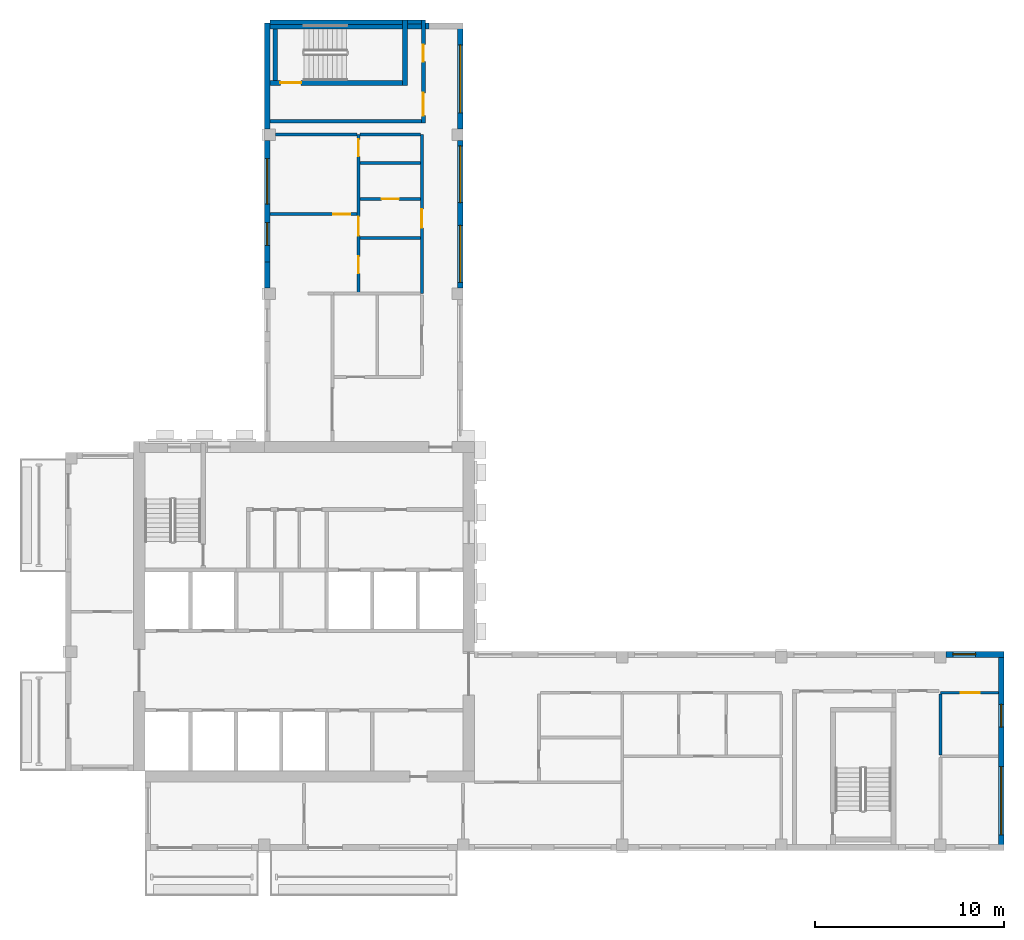
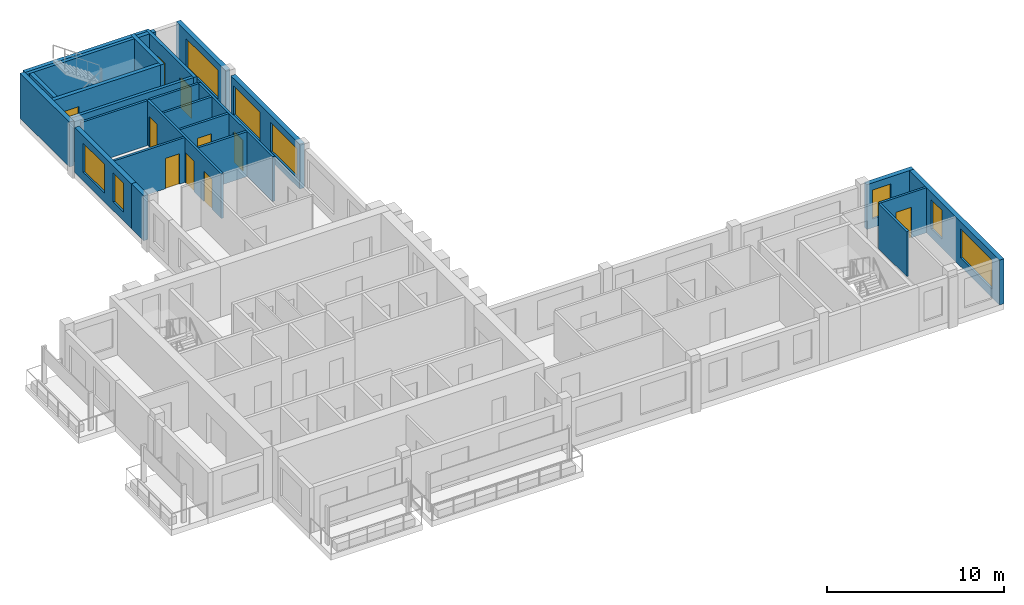
# One storey, part 5 of 10: 25 walls, 10 doors, 8 windows, 18 openings.
"""IFC4 building model written with IfcOpenShell, lengths in metres."""

from ifc_helpers import new_model, si_unit, direction, frame, frame_2d, origin, place, context, subcontext, project, spatial, rectangle, extrude, source, transform, mapped, material, layer, layer_set, type_object, element, fill, save


model = new_model("IFC4")

# Units and contexts
model_context = context("Model", 3, precision=1e-05, world=origin(), true_north=direction((0.0, 1.0)))
body_context = subcontext(model_context, "Body", "Model", "MODEL_VIEW")
ifc_project = project(units=[si_unit("LENGTHUNIT", "METRE"), si_unit("AREAUNIT", "SQUARE_METRE"), si_unit("VOLUMEUNIT", "CUBIC_METRE"), si_unit("PLANEANGLEUNIT", "RADIAN"), si_unit("MASSUNIT", "GRAM", prefix="KILO")], contexts=[model_context])

# Site, building, storey
site_placement = place(None, origin())
site = spatial("IfcSite", under=ifc_project, at=site_placement, CompositionType="ELEMENT")
building_placement = place(site_placement, origin())
building = spatial("IfcBuilding", under=site, at=building_placement, Name="Aurelian Terraces", CompositionType="ELEMENT")
storey_placement = place(building_placement, frame((0.0, 0.0, 361.5)))
storey = spatial("IfcBuildingStorey", under=building, at=storey_placement, Name="L86", CompositionType="ELEMENT", Elevation=361.5)

# Wall, openings, windows
ifc_material_1 = material(Name="Terracotta rainscreen cladding", Category="masonry")
ifc_layer_1 = layer(ifc_material_1, 0.3)
ifc_layer_set_1 = layer_set([ifc_layer_1], Name="EW-300")
wall_type_1 = type_object("IfcWallType", Name="EW-300", PredefinedType="STANDARD", material=ifc_layer_set_1)
shared_shape_1 = source(origin(), body_context, "Body", "SweptSolid", [
    extrude(rectangle(XDim=10.5, YDim=0.3, at=frame_2d((5.25, 0.0))), origin(), (0.0, 0.0, 1.0), 3.1),
])
wall_1_placement = place(storey_placement, frame((49.41, 0.0, 0.0), z_axis=(0.0, 0.0, 1.0), x_axis=(0.0, 1.0, 0.0)))
wall_1 = element("IfcWall", 1, at=wall_1_placement, inside=storey, type_object=wall_type_1, Name="External wall L86 F02.7", PredefinedType="STANDARD", context=body_context, shape_type="MappedRepresentation", body=[
    mapped(shared_shape_1, transform((0.0, 0.0, 0.0), scale=1.0)),
])
shared_shape_2 = source(origin(), body_context, "Body", "SweptSolid", [
    extrude(rectangle(XDim=3.6, YDim=2.0, at=frame_2d((1.8, 1.0))), frame((0.0, 0.16, 0.0), z_axis=(0.0, -1.0, 0.0), x_axis=(1.0, 0.0, 0.0)), (0.0, 0.0, 1.0), 0.32),
])
opening_1_placement = place(wall_1_placement, frame((0.825, 0.0, 0.6)))
opening_1 = element("IfcOpeningElement", 2, at=opening_1_placement, cuts=wall_1, Name="Opening W3620", PredefinedType="OPENING", context=body_context, shape_type="MappedRepresentation", body=[
    mapped(shared_shape_2, transform((0.0, 0.0, 0.0), scale=1.0)),
])
shared_shape_3 = source(origin(), body_context, "Body", "SweptSolid", [
    extrude(rectangle(XDim=1.2, YDim=2.0, at=frame_2d((0.6, 1.0))), frame((0.0, 0.16, 0.0), z_axis=(0.0, -1.0, 0.0), x_axis=(1.0, 0.0, 0.0)), (0.0, 0.0, 1.0), 0.32),
])
opening_2_placement = place(wall_1_placement, frame((6.5125, 0.0, 0.6)))
opening_2 = element("IfcOpeningElement", 3, at=opening_2_placement, cuts=wall_1, Name="Opening W1220", PredefinedType="OPENING", context=body_context, shape_type="MappedRepresentation", body=[
    mapped(shared_shape_3, transform((0.0, 0.0, 0.0), scale=1.0)),
])
ifc_material_2 = material(Name="Clear glazing", Category="glass")
window_type_1 = type_object("IfcWindowType", Name="W-1200x2000", PartitioningType="SINGLE_PANEL", PredefinedType="WINDOW", material=ifc_material_2)
shared_shape_4 = source(origin(), body_context, "Body", "SweptSolid", [
    extrude(rectangle(XDim=1.2, YDim=2.0, at=frame_2d((0.6, 1.0))), frame((0.0, 0.03, 0.0), z_axis=(0.0, -1.0, 0.0), x_axis=(1.0, 0.0, 0.0)), (0.0, 0.0, 1.0), 0.06),
])
window_1_placement = place(opening_2_placement, origin())
window_1 = element("IfcWindow", 4, at=window_1_placement, inside=storey, type_object=window_type_1, Name="Window L86 L86-F02-07-1", OverallHeight=2.0, OverallWidth=1.2, PartitioningType="SINGLE_PANEL", PredefinedType="WINDOW", context=body_context, shape_type="MappedRepresentation", body=[
    mapped(shared_shape_4, transform((0.0, 0.0, 0.0), scale=1.0)),
])
fill(opening_2, window_1)
window_type_2 = type_object("IfcWindowType", Name="W-3600x2000", PartitioningType="SINGLE_PANEL", PredefinedType="WINDOW", material=ifc_material_2)
shared_shape_5 = source(origin(), body_context, "Body", "SweptSolid", [
    extrude(rectangle(XDim=3.6, YDim=2.0, at=frame_2d((1.8, 1.0))), frame((0.0, 0.03, 0.0), z_axis=(0.0, -1.0, 0.0), x_axis=(1.0, 0.0, 0.0)), (0.0, 0.0, 1.0), 0.06),
])
window_2_placement = place(opening_1_placement, origin())
window_2 = element("IfcWindow", 5, at=window_2_placement, inside=storey, type_object=window_type_2, Name="Window L86 L86-F02-07-0", OverallHeight=2.0, OverallWidth=3.6, PartitioningType="SINGLE_PANEL", PredefinedType="WINDOW", context=body_context, shape_type="MappedRepresentation", body=[
    mapped(shared_shape_5, transform((0.0, 0.0, 0.0), scale=1.0)),
])
fill(opening_1, window_2)

# Wall
ifc_material_3 = material(Name="Concrete fc' 40 MPa", Category="concrete")
ifc_layer_2 = layer(ifc_material_3, 0.3)
ifc_layer_set_2 = layer_set([ifc_layer_2], Name="STAIR BAY WALL 300")
wall_type_2 = type_object("IfcWallType", Name="STAIR BAY WALL 300", PredefinedType="SOLIDWALL", material=ifc_layer_set_2)
shared_shape_6 = source(origin(), body_context, "Body", "SweptSolid", [
    extrude(rectangle(XDim=8.6, YDim=0.3, at=frame_2d((4.3, 0.0))), origin(), (0.0, 0.0, 1.0), 3.1),
])
wall_2_placement = place(storey_placement, frame((19.2, 43.53, 0.0), z_axis=(0.0, 0.0, 1.0), x_axis=(-1.0, 0.0, 0.0)))
element("IfcWall", 6, at=wall_2_placement, inside=storey, type_object=wall_type_2, Name="Stair bay wall L86 F05.13", PredefinedType="SOLIDWALL", context=body_context, shape_type="MappedRepresentation", body=[
    mapped(shared_shape_6, transform((0.0, 0.0, 0.0), scale=1.0)),
])

# Wall, opening, window
shared_shape_7 = source(origin(), body_context, "Body", "SweptSolid", [
    extrude(rectangle(XDim=3.06, YDim=0.3, at=frame_2d((1.53, 0.0))), origin(), (0.0, 0.0, 1.0), 3.1),
])
wall_3_placement = place(storey_placement, frame((49.56, 10.35, 0.0), z_axis=(0.0, 0.0, 1.0), x_axis=(-1.0, 0.0, 0.0)))
wall_3 = element("IfcWall", 7, at=wall_3_placement, inside=storey, type_object=wall_type_1, Name="External wall L86 F03.8", PredefinedType="STANDARD", context=body_context, shape_type="MappedRepresentation", body=[
    mapped(shared_shape_7, transform((0.0, 0.0, 0.0), scale=1.0)),
])
opening_3_placement = place(wall_3_placement, frame((1.5, 0.0, 0.6)))
opening_3 = element("IfcOpeningElement", 8, at=opening_3_placement, cuts=wall_3, Name="Opening W1220", PredefinedType="OPENING", context=body_context, shape_type="MappedRepresentation", body=[
    mapped(shared_shape_3, transform((0.0, 0.0, 0.0), scale=1.0)),
])
window_3_placement = place(opening_3_placement, origin())
window_3 = element("IfcWindow", 9, at=window_3_placement, inside=storey, type_object=window_type_1, Name="Window L86 L86-F03-08-0", OverallHeight=2.0, OverallWidth=1.2, PartitioningType="SINGLE_PANEL", PredefinedType="WINDOW", context=body_context, shape_type="MappedRepresentation", body=[
    mapped(shared_shape_4, transform((0.0, 0.0, 0.0), scale=1.0)),
])
fill(opening_3, window_3)

# Wall, openings, windows
shared_shape_8 = source(origin(), body_context, "Body", "SweptSolid", [
    extrude(rectangle(XDim=7.8, YDim=0.3, at=frame_2d((3.9, 0.0))), origin(), (0.0, 0.0, 1.0), 3.1),
])
wall_4_placement = place(storey_placement, frame((20.85, 29.7, 0.0), z_axis=(0.0, 0.0, 1.0), x_axis=(0.0, 1.0, 0.0)))
wall_4 = element("IfcWall", 10, at=wall_4_placement, inside=storey, type_object=wall_type_1, Name="External wall L86 F04.11", PredefinedType="STANDARD", context=body_context, shape_type="MappedRepresentation", body=[
    mapped(shared_shape_8, transform((0.0, 0.0, 0.0), scale=1.0)),
])
shared_shape_9 = source(origin(), body_context, "Body", "SweptSolid", [
    extrude(rectangle(XDim=3.0, YDim=2.0, at=frame_2d((1.5, 1.0))), frame((0.0, 0.16, 0.0), z_axis=(0.0, -1.0, 0.0), x_axis=(1.0, 0.0, 0.0)), (0.0, 0.0, 1.0), 0.32),
])
opening_4_placement = place(wall_4_placement, frame((0.3, 0.0, 0.6)))
opening_4 = element("IfcOpeningElement", 11, at=opening_4_placement, cuts=wall_4, Name="Opening W3020", PredefinedType="OPENING", context=body_context, shape_type="MappedRepresentation", body=[
    mapped(shared_shape_9, transform((0.0, 0.0, 0.0), scale=1.0)),
])
opening_5_placement = place(wall_4_placement, frame((4.5, 0.0, 0.6)))
opening_5 = element("IfcOpeningElement", 12, at=opening_5_placement, cuts=wall_4, Name="Opening W3020", PredefinedType="OPENING", context=body_context, shape_type="MappedRepresentation", body=[
    mapped(shared_shape_9, transform((0.0, 0.0, 0.0), scale=1.0)),
])
window_type_3 = type_object("IfcWindowType", Name="W-3000x2000", PartitioningType="SINGLE_PANEL", PredefinedType="WINDOW", material=ifc_material_2)
shared_shape_10 = source(origin(), body_context, "Body", "SweptSolid", [
    extrude(rectangle(XDim=3.0, YDim=2.0, at=frame_2d((1.5, 1.0))), frame((0.0, 0.03, 0.0), z_axis=(0.0, -1.0, 0.0), x_axis=(1.0, 0.0, 0.0)), (0.0, 0.0, 1.0), 0.06),
])
window_4_placement = place(opening_4_placement, origin())
window_4 = element("IfcWindow", 13, at=window_4_placement, inside=storey, type_object=window_type_3, Name="Window L86 L86-F04-11-0", OverallHeight=2.0, OverallWidth=3.0, PartitioningType="SINGLE_PANEL", PredefinedType="WINDOW", context=body_context, shape_type="MappedRepresentation", body=[
    mapped(shared_shape_10, transform((0.0, 0.0, 0.0), scale=1.0)),
])
fill(opening_4, window_4)
window_5_placement = place(opening_5_placement, origin())
window_5 = element("IfcWindow", 14, at=window_5_placement, inside=storey, type_object=window_type_3, Name="Window L86 L86-F04-11-1", OverallHeight=2.0, OverallWidth=3.0, PartitioningType="SINGLE_PANEL", PredefinedType="WINDOW", context=body_context, shape_type="MappedRepresentation", body=[
    mapped(shared_shape_10, transform((0.0, 0.0, 0.0), scale=1.0)),
])
fill(opening_5, window_5)

# Wall, opening, window
shared_shape_11 = source(origin(), body_context, "Body", "SweptSolid", [
    extrude(rectangle(XDim=5.58, YDim=0.3, at=frame_2d((2.79, 0.0))), origin(), (0.0, 0.0, 1.0), 3.1),
])
wall_5_placement = place(storey_placement, frame((20.85, 38.1, 0.0), z_axis=(0.0, 0.0, 1.0), x_axis=(0.0, 1.0, 0.0)))
wall_5 = element("IfcWall", 15, at=wall_5_placement, inside=storey, type_object=wall_type_1, Name="External wall L86 F04.12", PredefinedType="STANDARD", context=body_context, shape_type="MappedRepresentation", body=[
    mapped(shared_shape_11, transform((0.0, 0.0, 0.0), scale=1.0)),
])
opening_6_placement = place(wall_5_placement, frame((0.84, 0.0, 0.6)))
opening_6 = element("IfcOpeningElement", 16, at=opening_6_placement, cuts=wall_5, Name="Opening W3620", PredefinedType="OPENING", context=body_context, shape_type="MappedRepresentation", body=[
    mapped(shared_shape_2, transform((0.0, 0.0, 0.0), scale=1.0)),
])
window_6_placement = place(opening_6_placement, origin())
window_6 = element("IfcWindow", 17, at=window_6_placement, inside=storey, type_object=window_type_2, Name="Window L86 L86-F04-12-0", OverallHeight=2.0, OverallWidth=3.6, PartitioningType="SINGLE_PANEL", PredefinedType="WINDOW", context=body_context, shape_type="MappedRepresentation", body=[
    mapped(shared_shape_5, transform((0.0, 0.0, 0.0), scale=1.0)),
])
fill(opening_6, window_6)

# Wall
shared_shape_12 = source(origin(), body_context, "Body", "SweptSolid", [
    extrude(rectangle(XDim=5.58, YDim=0.3, at=frame_2d((2.79, 0.0))), origin(), (0.0, 0.0, 1.0), 3.1),
])
wall_6_placement = place(storey_placement, frame((10.65, 43.68, 0.0), z_axis=(0.0, 0.0, 1.0), x_axis=(0.0, -1.0, 0.0)))
element("IfcWall", 18, at=wall_6_placement, inside=storey, type_object=wall_type_2, Name="Stair bay wall L86 F06.14", PredefinedType="SOLIDWALL", context=body_context, shape_type="MappedRepresentation", body=[
    mapped(shared_shape_12, transform((0.0, 0.0, 0.0), scale=1.0)),
])

# Wall, openings, windows
shared_shape_13 = source(origin(), body_context, "Body", "SweptSolid", [
    extrude(rectangle(XDim=6.42, YDim=0.3, at=frame_2d((3.21, 0.0))), origin(), (0.0, 0.0, 1.0), 3.1),
])
wall_7_placement = place(storey_placement, frame((10.65, 37.5, 0.0), z_axis=(0.0, 0.0, 1.0), x_axis=(0.0, -1.0, 0.0)))
wall_7 = element("IfcWall", 19, at=wall_7_placement, inside=storey, type_object=wall_type_1, Name="External wall L86 F06.14", PredefinedType="STANDARD", context=body_context, shape_type="MappedRepresentation", body=[
    mapped(shared_shape_13, transform((0.0, 0.0, 0.0), scale=1.0)),
])
opening_7_placement = place(wall_7_placement, frame((4.3475, 0.0, 0.6)))
opening_7 = element("IfcOpeningElement", 20, at=opening_7_placement, cuts=wall_7, Name="Opening W1220", PredefinedType="OPENING", context=body_context, shape_type="MappedRepresentation", body=[
    mapped(shared_shape_3, transform((0.0, 0.0, 0.0), scale=1.0)),
])
shared_shape_14 = source(origin(), body_context, "Body", "SweptSolid", [
    extrude(rectangle(XDim=2.4, YDim=2.0, at=frame_2d((1.2, 1.0))), frame((0.0, 0.16, 0.0), z_axis=(0.0, -1.0, 0.0), x_axis=(1.0, 0.0, 0.0)), (0.0, 0.0, 1.0), 0.32),
])
opening_8_placement = place(wall_7_placement, frame((0.9737, 0.0, 0.6)))
opening_8 = element("IfcOpeningElement", 21, at=opening_8_placement, cuts=wall_7, Name="Opening W2420", PredefinedType="OPENING", context=body_context, shape_type="MappedRepresentation", body=[
    mapped(shared_shape_14, transform((0.0, 0.0, 0.0), scale=1.0)),
])
window_7_placement = place(opening_7_placement, origin())
window_7 = element("IfcWindow", 22, at=window_7_placement, inside=storey, type_object=window_type_1, Name="Window L86 L86-F06-14-2", OverallHeight=2.0, OverallWidth=1.2, PartitioningType="SINGLE_PANEL", PredefinedType="WINDOW", context=body_context, shape_type="MappedRepresentation", body=[
    mapped(shared_shape_4, transform((0.0, 0.0, 0.0), scale=1.0)),
])
fill(opening_7, window_7)
window_type_4 = type_object("IfcWindowType", Name="W-2400x2000", PartitioningType="SINGLE_PANEL", PredefinedType="WINDOW", material=ifc_material_2)
shared_shape_15 = source(origin(), body_context, "Body", "SweptSolid", [
    extrude(rectangle(XDim=2.4, YDim=2.0, at=frame_2d((1.2, 1.0))), frame((0.0, 0.03, 0.0), z_axis=(0.0, -1.0, 0.0), x_axis=(1.0, 0.0, 0.0)), (0.0, 0.0, 1.0), 0.06),
])
window_8_placement = place(opening_8_placement, origin())
window_8 = element("IfcWindow", 23, at=window_8_placement, inside=storey, type_object=window_type_4, Name="Window L86 L86-F06-14-G1-62", OverallHeight=2.0, OverallWidth=2.4, PartitioningType="SINGLE_PANEL", PredefinedType="WINDOW", context=body_context, shape_type="MappedRepresentation", body=[
    mapped(shared_shape_15, transform((0.0, 0.0, 0.0), scale=1.0)),
])
fill(opening_8, window_8)

# Wall
shared_shape_16 = source(origin(), body_context, "Body", "SweptSolid", [
    extrude(rectangle(XDim=1.38, YDim=0.3, at=frame_2d((0.69, 0.0))), origin(), (0.0, 0.0, 1.0), 3.1),
])
wall_8_placement = place(storey_placement, frame((10.65, 31.08, 0.0), z_axis=(0.0, 0.0, 1.0), x_axis=(0.0, -1.0, 0.0)))
element("IfcWall", 24, at=wall_8_placement, inside=storey, type_object=wall_type_1, Name="External wall L86 F06.15", PredefinedType="STANDARD", context=body_context, shape_type="MappedRepresentation", body=[
    mapped(shared_shape_16, transform((0.0, 0.0, 0.0), scale=1.0)),
])

# Wall, opening, door
ifc_layer_3 = layer(ifc_material_3, 0.25)
ifc_layer_set_3 = layer_set([ifc_layer_3], Name="Stair enclosure wall 250")
wall_type_3 = type_object("IfcWallType", Name="Stair enclosure wall 250", PredefinedType="SOLIDWALL", material=ifc_layer_set_3)
shared_shape_17 = source(origin(), body_context, "Body", "SweptSolid", [
    extrude(rectangle(XDim=7.0, YDim=0.25, at=frame_2d((3.5, 0.0))), origin(), (0.0, 0.0, 1.0), 3.1),
])
wall_9_placement = place(storey_placement, frame((10.8, 40.525, 0.0), z_axis=(0.0, 0.0, 1.0), x_axis=(1.0, 0.0, 0.0)))
wall_9 = element("IfcWall", 25, at=wall_9_placement, inside=storey, type_object=wall_type_3, Name="L86 core wall ST-S3U-W", PredefinedType="SOLIDWALL", context=body_context, shape_type="MappedRepresentation", body=[
    mapped(shared_shape_17, transform((0.0, 0.0, 0.0), scale=1.0)),
])
shared_shape_18 = source(origin(), body_context, "Body", "SweptSolid", [
    extrude(rectangle(XDim=1.1, YDim=2.1, at=frame_2d((0.55, 1.05))), frame((0.0, 0.135, 0.0), z_axis=(0.0, -1.0, 0.0), x_axis=(1.0, 0.0, 0.0)), (0.0, 0.0, 1.0), 0.27),
])
opening_9_placement = place(wall_9_placement, frame((0.55, 0.0, 0.0)))
opening_9 = element("IfcOpeningElement", 26, at=opening_9_placement, cuts=wall_9, Name="Opening 68921", PredefinedType="OPENING", context=body_context, shape_type="MappedRepresentation", body=[
    mapped(shared_shape_18, transform((0.0, 0.0, 0.0), scale=1.0)),
])
ifc_material_4 = material(Name="Steel door leaf", Category="steel")
door_type_1 = type_object("IfcDoorType", Name="Core fire door 1100x2100", OperationType="SINGLE_SWING_LEFT", PredefinedType="DOOR", material=ifc_material_4)
shared_shape_19 = source(origin(), body_context, "Body", "SweptSolid", [
    extrude(rectangle(XDim=1.1, YDim=2.1, at=frame_2d((0.55, 1.05))), frame((0.0, 0.025, 0.0), z_axis=(0.0, -1.0, 0.0), x_axis=(1.0, 0.0, 0.0)), (0.0, 0.0, 1.0), 0.05),
])
door_1_placement = place(opening_9_placement, origin())
door_1 = element("IfcDoor", 27, at=door_1_placement, inside=storey, type_object=door_type_1, Name="Stair door 68921", OperationType="SINGLE_SWING_LEFT", OverallHeight=2.1, OverallWidth=1.1, PredefinedType="DOOR", context=body_context, shape_type="MappedRepresentation", body=[
    mapped(shared_shape_19, transform((0.0, 0.0, 0.0), scale=1.0)),
])
fill(opening_9, door_1)

# Walls
wall_10_placement = place(storey_placement, frame((10.8, 43.725, 0.0), z_axis=(0.0, 0.0, 1.0), x_axis=(1.0, 0.0, 0.0)))
element("IfcWall", 28, at=wall_10_placement, inside=storey, type_object=wall_type_3, Name="L86 core wall ST-S3U-E", PredefinedType="SOLIDWALL", context=body_context, shape_type="MappedRepresentation", body=[
    mapped(shared_shape_17, transform((0.0, 0.0, 0.0), scale=1.0)),
])
shared_shape_20 = source(origin(), body_context, "Body", "SweptSolid", [
    extrude(rectangle(XDim=3.45, YDim=0.25, at=frame_2d((1.725, 0.0))), origin(), (0.0, 0.0, 1.0), 3.1),
])
wall_11_placement = place(storey_placement, frame((17.925, 40.4, 0.0), z_axis=(0.0, 0.0, 1.0), x_axis=(0.0, 1.0, 0.0)))
element("IfcWall", 29, at=wall_11_placement, inside=storey, type_object=wall_type_3, Name="L86 core wall ST-S3U-N", PredefinedType="SOLIDWALL", context=body_context, shape_type="MappedRepresentation", body=[
    mapped(shared_shape_20, transform((0.0, 0.0, 0.0), scale=1.0)),
])
ifc_material_5 = material(Name="Gypsum board on steel studs", Category="steel")
ifc_layer_4 = layer(ifc_material_5, 0.2)
ifc_layer_set_4 = layer_set([ifc_layer_4], Name="Core partition 200")
wall_type_4 = type_object("IfcWallType", Name="Core partition 200", PredefinedType="PARTITIONING", material=ifc_layer_set_4)
shared_shape_21 = source(origin(), body_context, "Body", "SweptSolid", [
    extrude(rectangle(XDim=8.0, YDim=0.2, at=frame_2d((4.0, 0.0))), origin(), (0.0, 0.0, 1.0), 3.1),
])
wall_12_placement = place(storey_placement, frame((10.8, 38.5, 0.0), z_axis=(0.0, 0.0, 1.0), x_axis=(1.0, 0.0, 0.0)))
element("IfcWall", 30, at=wall_12_placement, inside=storey, type_object=wall_type_4, Name="L86 core wall ST-S3U-VW", PredefinedType="PARTITIONING", context=body_context, shape_type="MappedRepresentation", body=[
    mapped(shared_shape_21, transform((0.0, 0.0, 0.0), scale=1.0)),
])

# Wall, openings, doors
shared_shape_22 = source(origin(), body_context, "Body", "SweptSolid", [
    extrude(rectangle(XDim=5.45, YDim=0.2, at=frame_2d((2.725, 0.0))), origin(), (0.0, 0.0, 1.0), 3.1),
])
wall_13_placement = place(storey_placement, frame((18.9, 38.4, 0.0), z_axis=(0.0, 0.0, 1.0), x_axis=(0.0, 1.0, 0.0)))
wall_13 = element("IfcWall", 31, at=wall_13_placement, inside=storey, type_object=wall_type_4, Name="L86 core wall ST-S3U-BN", PredefinedType="PARTITIONING", context=body_context, shape_type="MappedRepresentation", body=[
    mapped(shared_shape_22, transform((0.0, 0.0, 0.0), scale=1.0)),
])
shared_shape_23 = source(origin(), body_context, "Body", "SweptSolid", [
    extrude(rectangle(XDim=1.2, YDim=2.1, at=frame_2d((0.6, 1.05))), frame((0.0, 0.11, 0.0), z_axis=(0.0, -1.0, 0.0), x_axis=(1.0, 0.0, 0.0)), (0.0, 0.0, 1.0), 0.22),
])
opening_10_placement = place(wall_13_placement, frame((0.4, 0.0, 0.0)))
opening_10 = element("IfcOpeningElement", 32, at=opening_10_placement, cuts=wall_13, Name="Opening 68922", PredefinedType="OPENING", context=body_context, shape_type="MappedRepresentation", body=[
    mapped(shared_shape_23, transform((0.0, 0.0, 0.0), scale=1.0)),
])
shared_shape_24 = source(origin(), body_context, "Body", "SweptSolid", [
    extrude(rectangle(XDim=0.9, YDim=2.1, at=frame_2d((0.45, 1.05))), frame((0.0, 0.11, 0.0), z_axis=(0.0, -1.0, 0.0), x_axis=(1.0, 0.0, 0.0)), (0.0, 0.0, 1.0), 0.22),
])
opening_11_placement = place(wall_13_placement, frame((3.25, 0.0, 0.0)))
opening_11 = element("IfcOpeningElement", 33, at=opening_11_placement, cuts=wall_13, Name="Opening 68923", PredefinedType="OPENING", context=body_context, shape_type="MappedRepresentation", body=[
    mapped(shared_shape_24, transform((0.0, 0.0, 0.0), scale=1.0)),
])
door_type_2 = type_object("IfcDoorType", Name="Core riser door 900x2100", OperationType="SINGLE_SWING_LEFT", PredefinedType="DOOR", material=ifc_material_4)
shared_shape_25 = source(origin(), body_context, "Body", "SweptSolid", [
    extrude(rectangle(XDim=0.9, YDim=2.1, at=frame_2d((0.45, 1.05))), frame((0.0, 0.025, 0.0), z_axis=(0.0, -1.0, 0.0), x_axis=(1.0, 0.0, 0.0)), (0.0, 0.0, 1.0), 0.05),
])
door_2_placement = place(opening_11_placement, origin())
door_2 = element("IfcDoor", 34, at=door_2_placement, inside=storey, type_object=door_type_2, Name="Riser door 68923", OperationType="SINGLE_SWING_LEFT", OverallHeight=2.1, OverallWidth=0.9, PredefinedType="DOOR", context=body_context, shape_type="MappedRepresentation", body=[
    mapped(shared_shape_25, transform((0.0, 0.0, 0.0), scale=1.0)),
])
fill(opening_11, door_2)
door_type_3 = type_object("IfcDoorType", Name="Core fire door 1200x2100 right", OperationType="SINGLE_SWING_RIGHT", PredefinedType="DOOR", material=ifc_material_4)
shared_shape_26 = source(origin(), body_context, "Body", "SweptSolid", [
    extrude(rectangle(XDim=1.2, YDim=2.1, at=frame_2d((0.6, 1.05))), frame((0.0, 0.025, 0.0), z_axis=(0.0, -1.0, 0.0), x_axis=(1.0, 0.0, 0.0)), (0.0, 0.0, 1.0), 0.05),
])
door_3_placement = place(opening_10_placement, origin())
door_3 = element("IfcDoor", 35, at=door_3_placement, inside=storey, type_object=door_type_3, Name="Vestibule door 68922", OperationType="SINGLE_SWING_RIGHT", OverallHeight=2.1, OverallWidth=1.2, PredefinedType="DOOR", context=body_context, shape_type="MappedRepresentation", body=[
    mapped(shared_shape_26, transform((0.0, 0.0, 0.0), scale=1.0)),
])
fill(opening_10, door_3)

# Walls
shared_shape_27 = source(origin(), body_context, "Body", "SweptSolid", [
    extrude(rectangle(XDim=0.75, YDim=0.2, at=frame_2d((0.375, 0.0))), origin(), (0.0, 0.0, 1.0), 3.1),
])
wall_14_placement = place(storey_placement, frame((18.05, 43.75, 0.0), z_axis=(0.0, 0.0, 1.0), x_axis=(1.0, 0.0, 0.0)))
element("IfcWall", 36, at=wall_14_placement, inside=storey, type_object=wall_type_4, Name="L86 core wall ST-S3U-RE", PredefinedType="PARTITIONING", context=body_context, shape_type="MappedRepresentation", body=[
    mapped(shared_shape_27, transform((0.0, 0.0, 0.0), scale=1.0)),
])
shared_shape_28 = source(origin(), body_context, "Body", "SweptSolid", [
    extrude(rectangle(XDim=2.73, YDim=0.25, at=frame_2d((1.365, 0.0))), origin(), (0.0, 0.0, 1.0), 3.1),
])
wall_15_placement = place(storey_placement, frame((11.075, 40.65, 0.0), z_axis=(0.0, 0.0, 1.0), x_axis=(0.0, 1.0, 0.0)))
element("IfcWall", 37, at=wall_15_placement, inside=storey, type_object=wall_type_3, Name="L86 core wall ST-S3U-SS", PredefinedType="SOLIDWALL", context=body_context, shape_type="MappedRepresentation", body=[
    mapped(shared_shape_28, transform((0.0, 0.0, 0.0), scale=1.0)),
])
ifc_layer_5 = layer(ifc_material_5, 0.15)
ifc_layer_set_5 = layer_set([ifc_layer_5], Name="Fire partition 150")
wall_type_5 = type_object("IfcWallType", Name="Fire partition 150", PredefinedType="PARTITIONING", material=ifc_layer_set_5)
shared_shape_29 = source(origin(), body_context, "Body", "SweptSolid", [
    extrude(rectangle(XDim=3.2, YDim=0.15, at=frame_2d((1.6, 0.0))), origin(), (0.0, 0.0, 1.0), 3.1),
])
wall_16_placement = place(storey_placement, frame((46.2, 5.05, 0.0), z_axis=(0.0, 0.0, 1.0), x_axis=(0.0, 1.0, 0.0)))
element("IfcWall", 38, at=wall_16_placement, inside=storey, type_object=wall_type_5, Name="Party wall", PredefinedType="PARTITIONING", context=body_context, shape_type="MappedRepresentation", body=[
    mapped(shared_shape_29, transform((0.0, 0.0, 0.0), scale=1.0)),
])
ifc_layer_6 = layer(ifc_material_5, 0.15)
ifc_layer_set_6 = layer_set([ifc_layer_6], Name="Partition 150")
wall_type_6 = type_object("IfcWallType", Name="Partition 150", PredefinedType="PARTITIONING", material=ifc_layer_set_6)
wall_17_placement = place(storey_placement, frame((18.75, 32.335, 0.0), z_axis=(0.0, 0.0, 1.0), x_axis=(-1.0, 0.0, 0.0)))
element("IfcWall", 39, at=wall_17_placement, inside=storey, type_object=wall_type_6, Name="Partition", PredefinedType="PARTITIONING", context=body_context, shape_type="MappedRepresentation", body=[
    mapped(shared_shape_29, transform((0.0, 0.0, 0.0), scale=1.0)),
])

# Wall, opening, door
wall_18_placement = place(storey_placement, frame((18.75, 34.3983, 0.0), z_axis=(0.0, 0.0, 1.0), x_axis=(-1.0, 0.0, 0.0)))
wall_18 = element("IfcWall", 40, at=wall_18_placement, inside=storey, type_object=wall_type_6, Name="Partition", PredefinedType="PARTITIONING", context=body_context, shape_type="MappedRepresentation", body=[
    mapped(shared_shape_29, transform((0.0, 0.0, 0.0), scale=1.0)),
])
shared_shape_30 = source(origin(), body_context, "Body", "SweptSolid", [
    extrude(rectangle(XDim=0.9, YDim=2.1, at=frame_2d((0.45, 1.05))), frame((0.0, 0.085, 0.0), z_axis=(0.0, -1.0, 0.0), x_axis=(1.0, 0.0, 0.0)), (0.0, 0.0, 1.0), 0.17),
])
opening_12_placement = place(wall_18_placement, frame((1.15, 0.0, 0.0)))
opening_12 = element("IfcOpeningElement", 41, at=opening_12_placement, cuts=wall_18, Name="Opening 786019", PredefinedType="OPENING", context=body_context, shape_type="MappedRepresentation", body=[
    mapped(shared_shape_30, transform((0.0, 0.0, 0.0), scale=1.0)),
])
ifc_material_6 = material(Name="Timber door leaf", Category="wood")
door_type_4 = type_object("IfcDoorType", Name="Room door 900x2100 right", OperationType="SINGLE_SWING_RIGHT", PredefinedType="DOOR", material=ifc_material_6)
door_4_placement = place(opening_12_placement, origin())
door_4 = element("IfcDoor", 42, at=door_4_placement, inside=storey, type_object=door_type_4, Name="Door 786019", OperationType="SINGLE_SWING_RIGHT", OverallHeight=2.1, OverallWidth=0.9, PredefinedType="DOOR", context=body_context, shape_type="MappedRepresentation", body=[
    mapped(shared_shape_25, transform((0.0, 0.0, 0.0), scale=1.0)),
])
fill(opening_12, door_4)

# Walls
wall_19_placement = place(storey_placement, frame((18.75, 36.3029, 0.0), z_axis=(0.0, 0.0, 1.0), x_axis=(-1.0, 0.0, 0.0)))
element("IfcWall", 43, at=wall_19_placement, inside=storey, type_object=wall_type_6, Name="Partition", PredefinedType="PARTITIONING", context=body_context, shape_type="MappedRepresentation", body=[
    mapped(shared_shape_29, transform((0.0, 0.0, 0.0), scale=1.0)),
])
wall_20_placement = place(storey_placement, frame((18.75, 37.8, 0.0), z_axis=(0.0, 0.0, 1.0), x_axis=(-1.0, 0.0, 0.0)))
element("IfcWall", 44, at=wall_20_placement, inside=storey, type_object=wall_type_5, Name="Party wall", PredefinedType="PARTITIONING", context=body_context, shape_type="MappedRepresentation", body=[
    mapped(shared_shape_29, transform((0.0, 0.0, 0.0), scale=1.0)),
])

# Wall, openings, doors
shared_shape_31 = source(origin(), body_context, "Body", "SweptSolid", [
    extrude(rectangle(XDim=8.4, YDim=0.15, at=frame_2d((4.2, 0.0))), origin(), (0.0, 0.0, 1.0), 3.1),
])
wall_21_placement = place(storey_placement, frame((15.475, 29.4, 0.0), z_axis=(0.0, 0.0, 1.0), x_axis=(0.0, 1.0, 0.0)))
wall_21 = element("IfcWall", 45, at=wall_21_placement, inside=storey, type_object=wall_type_6, Name="Partition", PredefinedType="PARTITIONING", context=body_context, shape_type="MappedRepresentation", body=[
    mapped(shared_shape_31, transform((0.0, 0.0, 0.0), scale=1.0)),
])
shared_shape_32 = source(origin(), body_context, "Body", "SweptSolid", [
    extrude(rectangle(XDim=1.0, YDim=2.1, at=frame_2d((0.5, 1.05))), frame((0.0, 0.085, 0.0), z_axis=(0.0, -1.0, 0.0), x_axis=(1.0, 0.0, 0.0)), (0.0, 0.0, 1.0), 0.17),
])
opening_13_placement = place(wall_21_placement, frame((3.068, 0.0, 0.0)))
opening_13 = element("IfcOpeningElement", 46, at=opening_13_placement, cuts=wall_21, Name="Opening 786017", PredefinedType="OPENING", context=body_context, shape_type="MappedRepresentation", body=[
    mapped(shared_shape_32, transform((0.0, 0.0, 0.0), scale=1.0)),
])
opening_14_placement = place(wall_21_placement, frame((1.0675, 0.0, 0.0)))
opening_14 = element("IfcOpeningElement", 47, at=opening_14_placement, cuts=wall_21, Name="Opening 786018", PredefinedType="OPENING", context=body_context, shape_type="MappedRepresentation", body=[
    mapped(shared_shape_30, transform((0.0, 0.0, 0.0), scale=1.0)),
])
opening_15_placement = place(wall_21_placement, frame((7.2515, 0.0, 0.0)))
opening_15 = element("IfcOpeningElement", 48, at=opening_15_placement, cuts=wall_21, Name="Opening 786020", PredefinedType="OPENING", context=body_context, shape_type="MappedRepresentation", body=[
    mapped(shared_shape_30, transform((0.0, 0.0, 0.0), scale=1.0)),
])
door_type_5 = type_object("IfcDoorType", Name="Room door 1000x2100 right", OperationType="SINGLE_SWING_RIGHT", PredefinedType="DOOR", material=ifc_material_6)
shared_shape_33 = source(origin(), body_context, "Body", "SweptSolid", [
    extrude(rectangle(XDim=1.0, YDim=2.1, at=frame_2d((0.5, 1.05))), frame((0.0, 0.025, 0.0), z_axis=(0.0, -1.0, 0.0), x_axis=(1.0, 0.0, 0.0)), (0.0, 0.0, 1.0), 0.05),
])
door_5_placement = place(opening_13_placement, origin())
door_5 = element("IfcDoor", 49, at=door_5_placement, inside=storey, type_object=door_type_5, Name="Door 786017", OperationType="SINGLE_SWING_RIGHT", OverallHeight=2.1, OverallWidth=1.0, PredefinedType="DOOR", context=body_context, shape_type="MappedRepresentation", body=[
    mapped(shared_shape_33, transform((0.0, 0.0, 0.0), scale=1.0)),
])
fill(opening_13, door_5)
door_type_6 = type_object("IfcDoorType", Name="Room door 900x2100 left", OperationType="SINGLE_SWING_LEFT", PredefinedType="DOOR", material=ifc_material_6)
door_6_placement = place(opening_14_placement, origin())
door_6 = element("IfcDoor", 50, at=door_6_placement, inside=storey, type_object=door_type_6, Name="Door 786018", OperationType="SINGLE_SWING_LEFT", OverallHeight=2.1, OverallWidth=0.9, PredefinedType="DOOR", context=body_context, shape_type="MappedRepresentation", body=[
    mapped(shared_shape_25, transform((0.0, 0.0, 0.0), scale=1.0)),
])
fill(opening_14, door_6)
door_7_placement = place(opening_15_placement, origin())
door_7 = element("IfcDoor", 51, at=door_7_placement, inside=storey, type_object=door_type_6, Name="Door 786020", OperationType="SINGLE_SWING_LEFT", OverallHeight=2.1, OverallWidth=0.9, PredefinedType="DOOR", context=body_context, shape_type="MappedRepresentation", body=[
    mapped(shared_shape_25, transform((0.0, 0.0, 0.0), scale=1.0)),
])
fill(opening_15, door_7)

# Wall, opening, door
wall_22_placement = place(storey_placement, frame((18.825, 29.4, 0.0), z_axis=(0.0, 0.0, 1.0), x_axis=(0.0, 1.0, 0.0)))
wall_22 = element("IfcWall", 52, at=wall_22_placement, inside=storey, type_object=wall_type_5, Name="Corridor wall", PredefinedType="PARTITIONING", context=body_context, shape_type="MappedRepresentation", body=[
    mapped(shared_shape_31, transform((0.0, 0.0, 0.0), scale=1.0)),
])
opening_16_placement = place(wall_22_placement, frame((3.4667, 0.0, 0.0)))
opening_16 = element("IfcOpeningElement", 53, at=opening_16_placement, cuts=wall_22, Name="Opening 786016", PredefinedType="OPENING", context=body_context, shape_type="MappedRepresentation", body=[
    mapped(shared_shape_32, transform((0.0, 0.0, 0.0), scale=1.0)),
])
door_type_7 = type_object("IfcDoorType", Name="Entrance fire door 1000x2100 left", OperationType="SINGLE_SWING_LEFT", PredefinedType="DOOR", material=ifc_material_4)
door_8_placement = place(opening_16_placement, origin())
door_8 = element("IfcDoor", 54, at=door_8_placement, inside=storey, type_object=door_type_7, Name="Door 786016", OperationType="SINGLE_SWING_LEFT", OverallHeight=2.1, OverallWidth=1.0, PredefinedType="DOOR", context=body_context, shape_type="MappedRepresentation", body=[
    mapped(shared_shape_33, transform((0.0, 0.0, 0.0), scale=1.0)),
])
fill(opening_16, door_8)

shared_shape_34 = source(origin(), body_context, "Body", "SweptSolid", [
    extrude(rectangle(XDim=3.06, YDim=0.15, at=frame_2d((1.53, 0.0))), origin(), (0.0, 0.0, 1.0), 3.1),
])
wall_23_placement = place(storey_placement, frame((49.26, 8.325, 0.0), z_axis=(0.0, 0.0, 1.0), x_axis=(-1.0, 0.0, 0.0)))
wall_23 = element("IfcWall", 55, at=wall_23_placement, inside=storey, type_object=wall_type_5, Name="Corridor wall", PredefinedType="PARTITIONING", context=body_context, shape_type="MappedRepresentation", body=[
    mapped(shared_shape_34, transform((0.0, 0.0, 0.0), scale=1.0)),
])
opening_17_placement = place(wall_23_placement, frame((0.9925, 0.0, 0.0)))
opening_17 = element("IfcOpeningElement", 56, at=opening_17_placement, cuts=wall_23, Name="Opening 786011", PredefinedType="OPENING", context=body_context, shape_type="MappedRepresentation", body=[
    mapped(shared_shape_32, transform((0.0, 0.0, 0.0), scale=1.0)),
])
door_9_placement = place(opening_17_placement, origin())
door_9 = element("IfcDoor", 57, at=door_9_placement, inside=storey, type_object=door_type_7, Name="Door 786011", OperationType="SINGLE_SWING_LEFT", OverallHeight=2.1, OverallWidth=1.0, PredefinedType="DOOR", context=body_context, shape_type="MappedRepresentation", body=[
    mapped(shared_shape_33, transform((0.0, 0.0, 0.0), scale=1.0)),
])
fill(opening_17, door_9)

# Wall
shared_shape_35 = source(origin(), body_context, "Body", "SweptSolid", [
    extrude(rectangle(XDim=4.301, YDim=0.15, at=frame_2d((2.1505, 0.0))), origin(), (0.0, 0.0, 1.0), 3.1),
])
wall_24_placement = place(storey_placement, frame((15.4, 37.8, 0.0), z_axis=(0.0, 0.0, 1.0), x_axis=(-1.0, 0.0, 0.0)))
element("IfcWall", 58, at=wall_24_placement, inside=storey, type_object=wall_type_5, Name="Party wall", PredefinedType="PARTITIONING", context=body_context, shape_type="MappedRepresentation", body=[
    mapped(shared_shape_35, transform((0.0, 0.0, 0.0), scale=1.0)),
])

# Wall, opening, door
shared_shape_36 = source(origin(), body_context, "Body", "SweptSolid", [
    extrude(rectangle(XDim=4.6, YDim=0.15, at=frame_2d((2.3, 0.0))), origin(), (0.0, 0.0, 1.0), 3.1),
])
wall_25_placement = place(storey_placement, frame((15.4, 33.6, 0.0), z_axis=(0.0, 0.0, 1.0), x_axis=(-1.0, 0.0, 0.0)))
wall_25 = element("IfcWall", 59, at=wall_25_placement, inside=storey, type_object=wall_type_6, Name="Partition", PredefinedType="PARTITIONING", context=body_context, shape_type="MappedRepresentation", body=[
    mapped(shared_shape_36, transform((0.0, 0.0, 0.0), scale=1.0)),
])
opening_18_placement = place(wall_25_placement, frame((0.35, 0.0, 0.0)))
opening_18 = element("IfcOpeningElement", 60, at=opening_18_placement, cuts=wall_25, Name="Opening 786021", PredefinedType="OPENING", context=body_context, shape_type="MappedRepresentation", body=[
    mapped(shared_shape_30, transform((0.0, 0.0, 0.0), scale=1.0)),
])
door_10_placement = place(opening_18_placement, origin())
door_10 = element("IfcDoor", 61, at=door_10_placement, inside=storey, type_object=door_type_4, Name="Door 786021", OperationType="SINGLE_SWING_RIGHT", OverallHeight=2.1, OverallWidth=0.9, PredefinedType="DOOR", context=body_context, shape_type="MappedRepresentation", body=[
    mapped(shared_shape_25, transform((0.0, 0.0, 0.0), scale=1.0)),
])
fill(opening_18, door_10)

save(model, "model.ifc")
